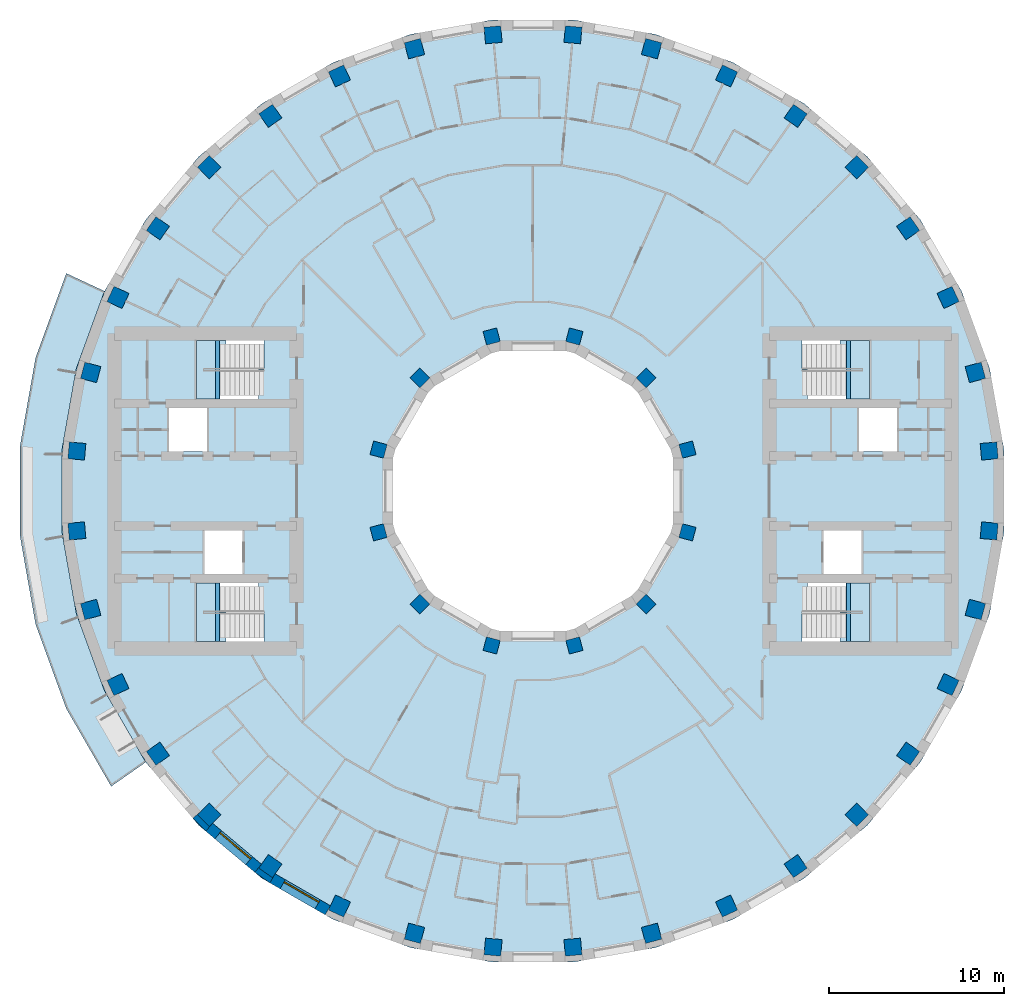
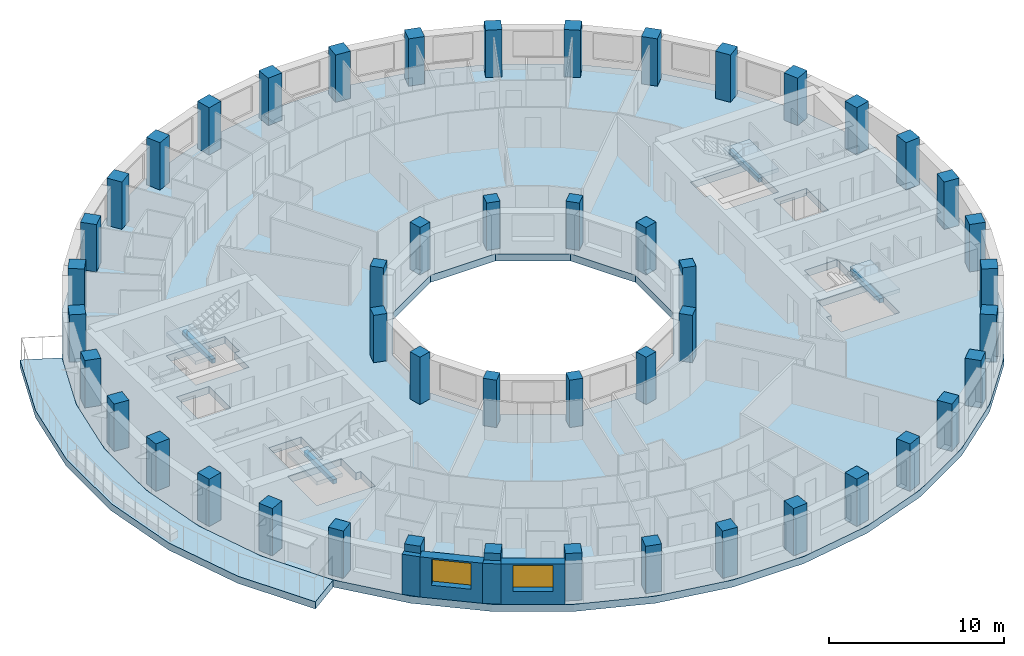
# One storey, part 1 of 12: 48 columns, 6 slabs, 4 beams, 4 walls, 2 windows, 2 openings, 4 elements without a shape of their own.
"""IFC4 building model written with IfcOpenShell, lengths in metres."""

from ifc_helpers import new_model, si_unit, direction, frame, frame_2d, origin, origin_2d, place, context, subcontext, project, spatial, polyline, rectangle, outline, extrude, material, layer, layer_set, material_profile, profile_set, type_object, element, fill, aggregate, save


model = new_model("IFC4")

# Units and contexts
model_context = context("Model", 3, precision=1e-05, world=origin(), true_north=direction((0.0, 1.0)))
body_context = subcontext(model_context, "Body", "Model", "MODEL_VIEW")
ifc_project = project(units=[si_unit("LENGTHUNIT", "METRE"), si_unit("AREAUNIT", "SQUARE_METRE"), si_unit("VOLUMEUNIT", "CUBIC_METRE"), si_unit("PLANEANGLEUNIT", "RADIAN"), si_unit("MASSUNIT", "GRAM", prefix="KILO")], contexts=[model_context])

# Site, building, storey
site_placement = place(None, origin())
site = spatial("IfcSite", under=ifc_project, at=site_placement, CompositionType="ELEMENT")
building_placement = place(site_placement, origin())
building = spatial("IfcBuilding", under=site, at=building_placement, Name="Saqina Gate Tower", CompositionType="ELEMENT")
storey_placement = place(building_placement, frame((0.0, 0.0, 111.699951171875)))
storey = spatial("IfcBuildingStorey", under=building, at=storey_placement, Name="L31", CompositionType="ELEMENT", Elevation=111.699951171875)

# Columns
ifc_material_1 = material(Name="Concrete C70/85", Category="concrete")
ifc_material_profile_1 = material_profile(ifc_material_1, rectangle(XDim=0.800048828125, YDim=0.800048828125, at=origin_2d()), Name="RC 800x800")
ifc_profile_set_1 = profile_set([ifc_material_profile_1], Name="Concrete C70/85")
column_type_1 = type_object("IfcColumnType", Name="STR-COL-IN-B", PredefinedType="COLUMN", material=ifc_profile_set_1)
for number, where, z_axis, x_axis, name in (
    (1, (8.821044921875, 2.363525390625, 0.0), (0.0, 0.0, 1.0), (0.965925826289, 0.258819045103, 0.0), "L31-ICL01"),
    (2, (6.45751953125, 6.45751953125, 0.0), (0.0, 0.0, 1.0), (0.707106781187, 0.707106781187, 0.0), "L31-ICL02"),
    (3, (2.363525390625, 8.821044921875, 0.0), (0.0, 0.0, 1.0), (0.258819045103, 0.965925826289, 0.0), "L31-ICL03"),
    (4, (-2.363525390625, 8.821044921875, 0.0), (0.0, 0.0, 1.0), (-0.258819045103, 0.965925826289, 0.0), "L31-ICL04"),
    (5, (-6.45751953125, 6.45751953125, 0.0), (0.0, 0.0, 1.0), (-0.707106781187, 0.707106781187, 0.0), "L31-ICL05"),
    (6, (-8.821044921875, 2.363525390625, 0.0), (0.0, 0.0, 1.0), (-0.965925826289, 0.258819045103, 0.0), "L31-ICL06"),
    (7, (-8.821044921875, -2.363525390625, 0.0), (0.0, 0.0, 1.0), (-0.965925826289, -0.258819045103, 0.0), "L31-ICL07"),
    (8, (-6.45751953125, -6.45751953125, 0.0), (0.0, 0.0, 1.0), (-0.707106781187, -0.707106781187, 0.0), "L31-ICL08"),
    (9, (-2.363525390625, -8.821044921875, 0.0), (0.0, 0.0, 1.0), (-0.258819045103, -0.965925826289, 0.0), "L31-ICL09"),
    (10, (2.363525390625, -8.821044921875, 0.0), (0.0, 0.0, 1.0), (0.258819045103, -0.965925826289, 0.0), "L31-ICL10"),
    (11, (6.45751953125, -6.45751953125, 0.0), (0.0, 0.0, 1.0), (0.707106781187, -0.707106781187, 0.0), "L31-ICL11"),
    (12, (8.821044921875, -2.363525390625, 0.0), (0.0, 0.0, 1.0), (0.965925826289, -0.258819045103, 0.0), "L31-ICL12"),
):
    element("IfcColumn", number, at=place(storey_placement, frame(where, z_axis=z_axis, x_axis=x_axis)), inside=storey, type_object=column_type_1, Name=name, PredefinedType="COLUMN", context=body_context, shape_type="SweptSolid", body=[
        extrude(rectangle(XDim=0.800048828125, YDim=0.800048828125, at=origin_2d()), origin(), (0.0, 0.0, 1.0), 3.300048828125),
    ])
ifc_material_2 = material(Name="Concrete C70/85", Category="concrete")
ifc_material_profile_2 = material_profile(ifc_material_2, rectangle(XDim=0.949951171875, YDim=0.949951171875, at=origin_2d()), Name="RC 950x950")
ifc_profile_set_2 = profile_set([ifc_material_profile_2], Name="Concrete C70/85")
column_type_2 = type_object("IfcColumnType", Name="STR-COL-OUT-B", PredefinedType="COLUMN", material=ifc_profile_set_2)
for number, where, z_axis, x_axis, name in (
    (13, (26.050537109375, 2.279052734375, 0.0), (0.0, 0.0, 1.0), (0.996194698092, 0.087155742748, 0.0), "L31-COL01"),
    (14, (25.259033203125, 6.76806640625, 0.0), (0.0, 0.0, 1.0), (0.965925826289, 0.258819045103, 0.0), "L31-COL02"),
    (15, (23.699951171875, 11.051513671875, 0.0), (0.0, 0.0, 1.0), (0.906307787037, 0.422618261741, 0.0), "L31-COL03"),
    (16, (21.4208984375, 14.9990234375, 0.0), (0.0, 0.0, 1.0), (0.819152044289, 0.573576436351, 0.0), "L31-COL04"),
    (17, (18.49072265625, 18.49072265625, 0.0), (0.0, 0.0, 1.0), (0.707106781187, 0.707106781187, 0.0), "L31-COL05"),
    (18, (14.9990234375, 21.4208984375, 0.0), (0.0, 0.0, 1.0), (0.573576436351, 0.819152044289, 0.0), "L31-COL06"),
    (19, (11.051513671875, 23.699951171875, 0.0), (0.0, 0.0, 1.0), (0.422618261741, 0.906307787037, 0.0), "L31-COL07"),
    (20, (6.76806640625, 25.259033203125, 0.0), (0.0, 0.0, 1.0), (0.258819045103, 0.965925826289, 0.0), "L31-COL08"),
    (21, (2.279052734375, 26.050537109375, 0.0), (0.0, 0.0, 1.0), (0.087155742748, 0.996194698092, 0.0), "L31-COL09"),
    (22, (-2.279052734375, 26.050537109375, 0.0), (0.0, 0.0, 1.0), (-0.087155742748, 0.996194698092, 0.0), "L31-COL10"),
    (23, (-6.76806640625, 25.259033203125, 0.0), (0.0, 0.0, 1.0), (-0.258819045103, 0.965925826289, 0.0), "L31-COL11"),
    (24, (-11.051513671875, 23.699951171875, 0.0), (0.0, 0.0, 1.0), (-0.422618261741, 0.906307787037, 0.0), "L31-COL12"),
    (25, (-14.9990234375, 21.4208984375, 0.0), (0.0, 0.0, 1.0), (-0.573576436351, 0.819152044289, 0.0), "L31-COL13"),
    (26, (-18.49072265625, 18.49072265625, 0.0), (0.0, 0.0, 1.0), (-0.707106781187, 0.707106781187, 0.0), "L31-COL14"),
    (27, (-21.4208984375, 14.9990234375, 0.0), (0.0, 0.0, 1.0), (-0.819152044289, 0.573576436351, 0.0), "L31-COL15"),
    (28, (-23.699951171875, 11.051513671875, 0.0), (0.0, 0.0, 1.0), (-0.906307787037, 0.422618261741, 0.0), "L31-COL16"),
    (29, (-25.259033203125, 6.76806640625, 0.0), (0.0, 0.0, 1.0), (-0.965925826289, 0.258819045103, 0.0), "L31-COL17"),
    (30, (-26.050537109375, 2.279052734375, 0.0), (0.0, 0.0, 1.0), (-0.996194698092, 0.087155742748, 0.0), "L31-COL18"),
    (31, (-26.050537109375, -2.279052734375, 0.0), (0.0, 0.0, 1.0), (-0.996194698092, -0.087155742748, 0.0), "L31-COL19"),
    (32, (-25.259033203125, -6.76806640625, 0.0), (0.0, 0.0, 1.0), (-0.965925826289, -0.258819045103, 0.0), "L31-COL20"),
    (33, (-23.699951171875, -11.051513671875, 0.0), (0.0, 0.0, 1.0), (-0.906307787037, -0.422618261741, 0.0), "L31-COL21"),
    (34, (-21.4208984375, -14.9990234375, 0.0), (0.0, 0.0, 1.0), (-0.819152044289, -0.573576436351, 0.0), "L31-COL22"),
    (35, (-18.49072265625, -18.49072265625, 0.0), (0.0, 0.0, 1.0), (-0.707106781187, -0.707106781187, 0.0), "L31-COL23"),
    (36, (-14.9990234375, -21.4208984375, 0.0), (0.0, 0.0, 1.0), (-0.573576436351, -0.819152044289, 0.0), "L31-COL24"),
    (37, (-11.051513671875, -23.699951171875, 0.0), (0.0, 0.0, 1.0), (-0.422618261741, -0.906307787037, 0.0), "L31-COL25"),
    (38, (-6.76806640625, -25.259033203125, 0.0), (0.0, 0.0, 1.0), (-0.258819045103, -0.965925826289, 0.0), "L31-COL26"),
    (39, (-2.279052734375, -26.050537109375, 0.0), (0.0, 0.0, 1.0), (-0.087155742748, -0.996194698092, 0.0), "L31-COL27"),
    (40, (2.279052734375, -26.050537109375, 0.0), (0.0, 0.0, 1.0), (0.087155742748, -0.996194698092, 0.0), "L31-COL28"),
    (41, (6.76806640625, -25.259033203125, 0.0), (0.0, 0.0, 1.0), (0.258819045103, -0.965925826289, 0.0), "L31-COL29"),
    (42, (11.051513671875, -23.699951171875, 0.0), (0.0, 0.0, 1.0), (0.422618261741, -0.906307787037, 0.0), "L31-COL30"),
    (43, (14.9990234375, -21.4208984375, 0.0), (0.0, 0.0, 1.0), (0.573576436351, -0.819152044289, 0.0), "L31-COL31"),
    (44, (18.49072265625, -18.49072265625, 0.0), (0.0, 0.0, 1.0), (0.707106781187, -0.707106781187, 0.0), "L31-COL32"),
    (45, (21.4208984375, -14.9990234375, 0.0), (0.0, 0.0, 1.0), (0.819152044289, -0.573576436351, 0.0), "L31-COL33"),
    (46, (23.699951171875, -11.051513671875, 0.0), (0.0, 0.0, 1.0), (0.906307787037, -0.422618261741, 0.0), "L31-COL34"),
    (47, (25.259033203125, -6.76806640625, 0.0), (0.0, 0.0, 1.0), (0.965925826289, -0.258819045103, 0.0), "L31-COL35"),
    (48, (26.050537109375, -2.279052734375, 0.0), (0.0, 0.0, 1.0), (0.996194698092, -0.087155742748, 0.0), "L31-COL36"),
):
    element("IfcColumn", number, at=place(storey_placement, frame(where, z_axis=z_axis, x_axis=x_axis)), inside=storey, type_object=column_type_2, Name=name, PredefinedType="COLUMN", context=body_context, shape_type="SweptSolid", body=[
        extrude(rectangle(XDim=0.949951171875, YDim=0.949951171875, at=origin_2d()), origin(), (0.0, 0.0, 1.0), 3.300048828125),
    ])

# Beams
ifc_material_3 = material(Name="Concrete C40/50", Category="concrete")
ifc_material_profile_3 = material_profile(ifc_material_3, rectangle(XDim=0.25, YDim=0.300048828125, at=origin_2d()), Name="STAIR LANDING BEAM")
ifc_profile_set_3 = profile_set([ifc_material_profile_3], Name="Concrete C40/50")
beam_type = type_object("IfcBeamType", Name="STAIR LANDING BEAM", PredefinedType="BEAM", material=ifc_profile_set_3)
for number, where, z_axis, x_axis, name in (
    (49, (18.02001953125, 5.25, 1.25), (0.0, 1.0, 0.0), (-1.0, 0.0, 0.0), "EXIT STAIR 1 LANDING BEAM"),
    (50, (18.02001953125, -8.60009765625, 1.25), (0.0, 1.0, 0.0), (-1.0, 0.0, 0.0), "EXIT STAIR 2 LANDING BEAM"),
    (51, (-18.02001953125, 5.25, 1.25), (0.0, 1.0, 0.0), (-1.0, 0.0, 0.0), "EXIT STAIR 3 LANDING BEAM"),
    (52, (-18.02001953125, -8.60009765625, 1.25), (0.0, 1.0, 0.0), (-1.0, 0.0, 0.0), "EXIT STAIR 4 LANDING BEAM"),
):
    element("IfcBeam", number, at=place(storey_placement, frame(where, z_axis=z_axis, x_axis=x_axis)), inside=storey, type_object=beam_type, Name=name, PredefinedType="BEAM", context=body_context, shape_type="SweptSolid", body=[
        extrude(rectangle(XDim=0.25, YDim=0.300048828125, at=origin_2d()), origin(), (0.0, 0.0, 1.0), 3.35009765625),
    ])

# Stair, slab
ifc_material_4 = material(Name="Concrete C40/50", Category="concrete")
stair_type = type_object("IfcStairType", Name="EXIT STAIR", PredefinedType="HALF_TURN_STAIR", material=ifc_material_4)
stair_1_placement = place(storey_placement, origin())
stair_1 = element("IfcStair", 53, at=stair_1_placement, inside=storey, type_object=stair_type, Name="EXIT STAIR 1", PredefinedType="HALF_TURN_STAIR")
ifc_material_5 = material(Name="Concrete C40/50", Category="concrete")
ifc_layer_1 = layer(ifc_material_5, 0.25)
ifc_layer_set_1 = layer_set([ifc_layer_1], Name="Concrete C40/50")
slab_type_1 = type_object("IfcSlabType", Name="EXIT STAIR LANDING", PredefinedType="LANDING", material=ifc_layer_set_1)
slab_1_placement = place(storey_placement, frame((0.0, 0.0, 1.400146484375)))
slab_1 = element("IfcSlab", 54, at=slab_1_placement, type_object=slab_type_1, Name="EXIT STAIR 1 LANDING 1", PredefinedType="LANDING", context=body_context, shape_type="SweptSolid", body=[
    extrude(outline(polyline([(19.219970703125, 8.60009765625), (19.219970703125, 5.25), (17.864990234375, 5.25), (17.864990234375, 6.925048828125), (17.534423828125, 6.925048828125), (17.534423828125, 8.60009765625), (17.864990234375, 8.60009765625), (17.8701171875, 8.60009765625), (19.219970703125, 8.60009765625)])), origin(), (0.0, 0.0, 1.0), 0.25),
])
aggregate(stair_1, [slab_1])

stair_2_placement = place(storey_placement, origin())
stair_2 = element("IfcStair", 55, at=stair_2_placement, inside=storey, type_object=stair_type, Name="EXIT STAIR 2", PredefinedType="HALF_TURN_STAIR")
slab_2_placement = place(storey_placement, frame((0.0, 0.0, 1.400146484375)))
slab_2 = element("IfcSlab", 56, at=slab_2_placement, type_object=slab_type_1, Name="EXIT STAIR 2 LANDING 1", PredefinedType="LANDING", context=body_context, shape_type="SweptSolid", body=[
    extrude(outline(polyline([(17.534423828125, -8.60009765625), (17.534423828125, -6.925048828125), (17.864990234375, -6.925048828125), (17.864990234375, -5.25), (19.219970703125, -5.25), (19.219970703125, -8.60009765625), (17.8701171875, -8.60009765625), (17.864990234375, -8.60009765625), (17.534423828125, -8.60009765625)])), origin(), (0.0, 0.0, 1.0), 0.25),
])
aggregate(stair_2, [slab_2])

stair_3_placement = place(storey_placement, origin())
stair_3 = element("IfcStair", 57, at=stair_3_placement, inside=storey, type_object=stair_type, Name="EXIT STAIR 3", PredefinedType="HALF_TURN_STAIR")
slab_3_placement = place(storey_placement, frame((0.0, 0.0, 1.400146484375)))
slab_3 = element("IfcSlab", 58, at=slab_3_placement, type_object=slab_type_1, Name="EXIT STAIR 3 LANDING 1", PredefinedType="LANDING", context=body_context, shape_type="SweptSolid", body=[
    extrude(outline(polyline([(-17.864990234375, 5.25), (-19.219970703125, 5.25), (-19.219970703125, 8.60009765625), (-17.8701171875, 8.60009765625), (-17.864990234375, 8.60009765625), (-17.534423828125, 8.60009765625), (-17.534423828125, 6.925048828125), (-17.864990234375, 6.925048828125), (-17.864990234375, 5.25)])), origin(), (0.0, 0.0, 1.0), 0.25),
])
aggregate(stair_3, [slab_3])

stair_4_placement = place(storey_placement, origin())
stair_4 = element("IfcStair", 59, at=stair_4_placement, inside=storey, type_object=stair_type, Name="EXIT STAIR 4", PredefinedType="HALF_TURN_STAIR")
slab_4_placement = place(storey_placement, frame((0.0, 0.0, 1.400146484375)))
slab_4 = element("IfcSlab", 60, at=slab_4_placement, type_object=slab_type_1, Name="EXIT STAIR 4 LANDING 1", PredefinedType="LANDING", context=body_context, shape_type="SweptSolid", body=[
    extrude(outline(polyline([(-17.534423828125, -6.925048828125), (-17.534423828125, -8.60009765625), (-17.864990234375, -8.60009765625), (-17.8701171875, -8.60009765625), (-19.219970703125, -8.60009765625), (-19.219970703125, -5.25), (-17.864990234375, -5.25), (-17.864990234375, -6.925048828125), (-17.534423828125, -6.925048828125)])), origin(), (0.0, 0.0, 1.0), 0.25),
])
aggregate(stair_4, [slab_4])

# Slabs
ifc_material_6 = material(Name="Concrete C40/50", Category="concrete")
ifc_layer_2 = layer(ifc_material_6, 0.5)
ifc_layer_set_2 = layer_set([ifc_layer_2], Name="Concrete C40/50")
slab_type_2 = type_object("IfcSlabType", Name="STR-POST-TENSIONED FLAT PLATE FLOOR-500", PredefinedType="FLOOR", material=ifc_layer_set_2)
slab_5_placement = place(storey_placement, frame((0.0, 0.0, -0.5)))
element("IfcSlab", 61, at=slab_5_placement, inside=storey, type_object=slab_type_2, Name="L31-SLB01", PredefinedType="FLOOR", context=body_context, shape_type="SweptSolid", body=[
    extrude(outline(polyline([(26.080078125, -6.988037109375), (26.897216796875, -2.353271484375), (26.897216796875, 2.353271484375), (26.080078125, 6.988037109375), (24.47021484375, 11.41064453125), (22.1171875, 15.486572265625), (19.091796875, 19.091796875), (15.486572265625, 22.1171875), (11.41064453125, 24.47021484375), (6.988037109375, 26.080078125), (2.353271484375, 26.897216796875), (-2.353271484375, 26.897216796875), (-6.988037109375, 26.080078125), (-11.41064453125, 24.47021484375), (-15.486572265625, 22.1171875), (-19.091796875, 19.091796875), (-22.1171875, 15.486572265625), (-24.47021484375, 11.41064453125), (-26.080078125, 6.988037109375), (-26.897216796875, 2.353271484375), (-26.897216796875, -2.353271484375), (-26.080078125, -6.988037109375), (-24.47021484375, -11.41064453125), (-22.1171875, -15.486572265625), (-19.091796875, -19.091796875), (-15.486572265625, -22.1171875), (-11.41064453125, -24.47021484375), (-6.988037109375, -26.080078125), (-2.353271484375, -26.897216796875), (2.353271484375, -26.897216796875), (6.988037109375, -26.080078125), (11.41064453125, -24.47021484375), (15.486572265625, -22.1171875), (19.091796875, -19.091796875), (22.1171875, -15.486572265625), (24.47021484375, -11.41064453125), (26.080078125, -6.988037109375)]), holes=[polyline([(2.1435546875, 8.0), (5.8564453125, 5.8564453125), (8.0, 2.1435546875), (8.0, -2.1435546875), (5.8564453125, -5.8564453125), (2.1435546875, -8.0), (-2.1435546875, -8.0), (-5.8564453125, -5.8564453125), (-8.0, -2.1435546875), (-8.0, 2.1435546875), (-5.8564453125, 5.8564453125), (-2.1435546875, 8.0), (2.1435546875, 8.0)]), polyline([(-15.35498046875, -8.60009765625), (-19.219970703125, -8.60009765625), (-19.219970703125, -6.925048828125), (-19.219970703125, -5.25), (-15.685546875, -5.25), (-15.685546875, -6.925048828125), (-15.35498046875, -6.925048828125), (-15.35498046875, -8.60009765625)]), polyline([(-16.590087890625, -2.25), (-16.590087890625, -4.75), (-18.75, -4.75), (-18.75, -2.25), (-16.590087890625, -2.25)]), polyline([(-20.780029296875, 4.75), (-18.6201171875, 4.75), (-18.6201171875, 2.25), (-20.780029296875, 2.25), (-20.780029296875, 4.75)]), polyline([(-19.219970703125, 6.925048828125), (-19.219970703125, 8.60009765625), (-15.35498046875, 8.60009765625), (-15.35498046875, 6.925048828125), (-15.685546875, 6.925048828125), (-15.685546875, 5.25), (-19.219970703125, 5.25), (-19.219970703125, 6.925048828125)]), polyline([(15.35498046875, -8.60009765625), (15.35498046875, -6.925048828125), (15.685546875, -6.925048828125), (15.685546875, -5.25), (19.219970703125, -5.25), (19.219970703125, -6.925048828125), (19.219970703125, -8.60009765625), (15.35498046875, -8.60009765625)]), polyline([(18.75, -2.25), (18.75, -4.75), (16.590087890625, -4.75), (16.590087890625, -2.25), (18.75, -2.25)]), polyline([(18.6201171875, 4.75), (20.780029296875, 4.75), (20.780029296875, 2.25), (18.6201171875, 2.25), (18.6201171875, 4.75)]), polyline([(15.685546875, 6.925048828125), (15.35498046875, 6.925048828125), (15.35498046875, 8.60009765625), (19.219970703125, 8.60009765625), (19.219970703125, 6.925048828125), (19.219970703125, 5.25), (15.685546875, 5.25), (15.685546875, 6.925048828125)])]), origin(), (0.0, 0.0, 1.0), 0.5),
])
ifc_material_7 = material(Name="Concrete C40/50", Category="concrete")
ifc_layer_3 = layer(ifc_material_7, 0.5)
ifc_layer_set_3 = layer_set([ifc_layer_3], Name="Concrete C40/50")
slab_type_3 = type_object("IfcSlabType", Name="STR-POST-TENSIONED FLAT PLATE TERRACE-500", PredefinedType="FLOOR", material=ifc_layer_set_3)
slab_6_placement = place(storey_placement, frame((0.0, 0.0, -0.5)))
element("IfcSlab", 62, at=slab_6_placement, inside=storey, type_object=slab_type_3, Name="L31-TRS01", PredefinedType="FLOOR", context=body_context, shape_type="SweptSolid", body=[
    extrude(outline(polyline([(-24.47021484375, 11.41064453125), (-26.080078125, 6.988037109375), (-26.897216796875, 2.353271484375), (-26.897216796875, -2.353271484375), (-26.080078125, -6.988037109375), (-24.47021484375, -11.41064453125), (-22.1171875, -15.486572265625), (-24.090576171875, -16.868408203125), (-26.65380859375, -12.428955078125), (-28.406982421875, -7.611572265625), (-29.29736328125, -2.563232421875), (-29.29736328125, 2.563232421875), (-28.406982421875, 7.611572265625), (-26.65380859375, 12.428955078125), (-24.47021484375, 11.41064453125)])), origin(), (0.0, 0.0, 1.0), 0.5),
])

# Walls
ifc_material_8 = material(Name="Brick masonry (buff)", Category="masonry")
wall_type_1 = type_object("IfcWallType", Name="BRICK PIER COPING BUFF", PredefinedType="SOLIDWALL", material=ifc_material_8)
wall_1_placement = place(storey_placement, origin())
element("IfcWall", 63, at=wall_1_placement, inside=storey, type_object=wall_type_1, Name="Pier cap L31 column 23", PredefinedType="SOLIDWALL", context=body_context, shape_type="SweptSolid", body=[
    extrude(outline(polyline([(-19.43212890625, -18.686279296875), (-18.686279296875, -19.43212890625), (-18.30078125, -18.972412109375), (-18.49072265625, -19.16259765625), (-19.16259765625, -18.49072265625), (-18.972412109375, -18.30078125), (-19.43212890625, -18.686279296875)])), origin(), (0.0, 0.0, 1.0), 2.800048828125),
])
wall_2_placement = place(storey_placement, origin())
element("IfcWall", 64, at=wall_2_placement, inside=storey, type_object=wall_type_1, Name="Pier cap L31 column 24", PredefinedType="SOLIDWALL", context=body_context, shape_type="SweptSolid", body=[
    extrude(outline(polyline([(-15.0283203125, -22.3818359375), (-14.728271484375, -21.862060546875), (-14.88232421875, -22.08251953125), (-15.66064453125, -21.53759765625), (-15.50634765625, -21.317138671875), (-15.89208984375, -21.77685546875), (-15.0283203125, -22.3818359375)])), origin(), (0.0, 0.0, 1.0), 2.800048828125),
])

# Wall, opening, window
ifc_material_9 = material(Name="Brick masonry (buff)", Category="masonry")
ifc_layer_4 = layer(ifc_material_9, 0.60009765625)
ifc_layer_set_4 = layer_set([ifc_layer_4], Name="FW-BRICK-BUFF")
wall_type_2 = type_object("IfcWallType", Name="FW-BRICK-BUFF", PredefinedType="SOLIDWALL", material=ifc_layer_set_4)
wall_3_placement = place(storey_placement, frame((-18.49365234375, -19.202392578125, 0.0), z_axis=(0.0, 0.0, 1.0), x_axis=(0.766055462616, -0.642774476932, 0.0)))
wall_3 = element("IfcWall", 65, at=wall_3_placement, inside=storey, type_object=wall_type_2, Name="Facade wall L31 facet 23", PredefinedType="SOLIDWALL", context=body_context, shape_type="SweptSolid", body=[
    extrude(rectangle(XDim=3.647705078125, YDim=0.60009765625, at=frame_2d((1.82373046875, 0.0))), origin(), (0.0, 0.0, 1.0), 2.800048828125),
])
opening_1_placement = place(wall_3_placement, frame((0.673828125, 0.0, 0.89990234375)))
opening_1 = element("IfcOpeningElement", 66, at=opening_1_placement, cuts=wall_3, Name="Opening G09-W15", PredefinedType="OPENING", context=body_context, shape_type="SweptSolid", body=[
    extrude(rectangle(XDim=2.300048828125, YDim=1.800048828125, at=frame_2d((1.14990234375, 0.89990234375))), frame((0.0, 0.31201171875, 0.0), z_axis=(0.0, -1.0, 0.0), x_axis=(1.0, 0.0, 0.0)), (0.0, 0.0, 1.0), 0.6240234375),
])
ifc_material_10 = material(Name="Aluminium glazing", Category="aluminium")
window_type = type_object("IfcWindowType", Name="WN-B", PartitioningType="SINGLE_PANEL", PredefinedType="WINDOW", material=ifc_material_10)
window_1_placement = place(opening_1_placement, origin())
window_1 = element("IfcWindow", 67, at=window_1_placement, inside=storey, type_object=window_type, Name="Window L31 facet 23", OverallHeight=1.800048828125, OverallWidth=2.300048828125, PartitioningType="SINGLE_PANEL", PredefinedType="WINDOW", context=body_context, shape_type="SweptSolid", body=[
    extrude(rectangle(XDim=2.300048828125, YDim=1.800048828125, at=frame_2d((1.14990234375, 0.89990234375))), frame((0.0, 0.179931640625, 0.0), z_axis=(0.0, -1.0, 0.0), x_axis=(1.0, 0.0, 0.0)), (0.0, 0.0, 1.0), 0.06005859375),
])
fill(opening_1, window_1)

wall_4_placement = place(storey_placement, frame((-14.878173828125, -22.1220703125, 0.0), z_axis=(0.0, 0.0, 1.0), x_axis=(0.866051847062, -0.499954196102, 0.0)))
wall_4 = element("IfcWall", 68, at=wall_4_placement, inside=storey, type_object=wall_type_2, Name="Facade wall L31 facet 24", PredefinedType="SOLIDWALL", context=body_context, shape_type="SweptSolid", body=[
    extrude(rectangle(XDim=3.647705078125, YDim=0.60009765625, at=frame_2d((1.82373046875, 0.0))), origin(), (0.0, 0.0, 1.0), 2.800048828125),
])
opening_2_placement = place(wall_4_placement, frame((0.673828125, 0.0, 0.89990234375)))
opening_2 = element("IfcOpeningElement", 69, at=opening_2_placement, cuts=wall_4, Name="Opening G09-W16", PredefinedType="OPENING", context=body_context, shape_type="SweptSolid", body=[
    extrude(rectangle(XDim=2.300048828125, YDim=1.800048828125, at=frame_2d((1.14990234375, 0.89990234375))), frame((0.0, 0.31201171875, 0.0), z_axis=(0.0, -1.0, 0.0), x_axis=(1.0, 0.0, 0.0)), (0.0, 0.0, 1.0), 0.6240234375),
])
window_2_placement = place(opening_2_placement, origin())
window_2 = element("IfcWindow", 70, at=window_2_placement, inside=storey, type_object=window_type, Name="Window L31 facet 24", OverallHeight=1.800048828125, OverallWidth=2.300048828125, PartitioningType="SINGLE_PANEL", PredefinedType="WINDOW", context=body_context, shape_type="SweptSolid", body=[
    extrude(rectangle(XDim=2.300048828125, YDim=1.800048828125, at=frame_2d((1.14990234375, 0.89990234375))), frame((0.0, 0.179931640625, 0.0), z_axis=(0.0, -1.0, 0.0), x_axis=(1.0, 0.0, 0.0)), (0.0, 0.0, 1.0), 0.06005859375),
])
fill(opening_2, window_2)

save(model, "model.ifc")
